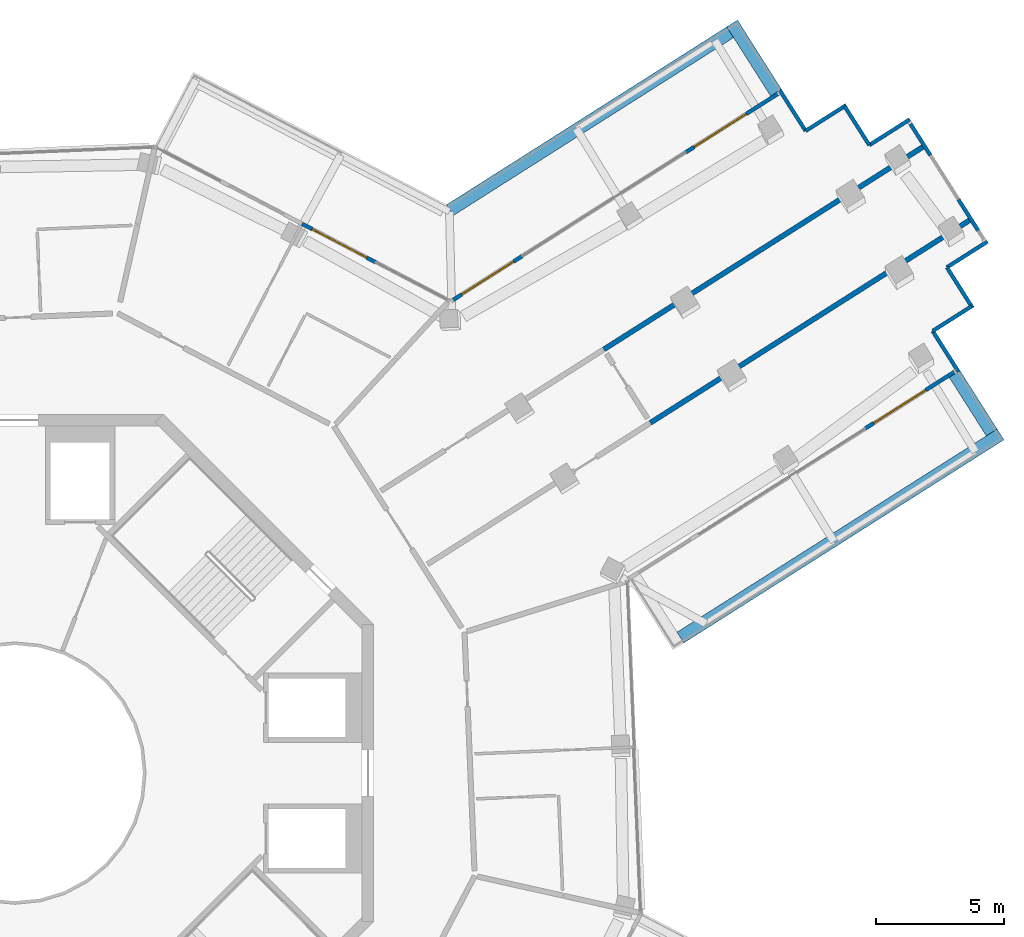
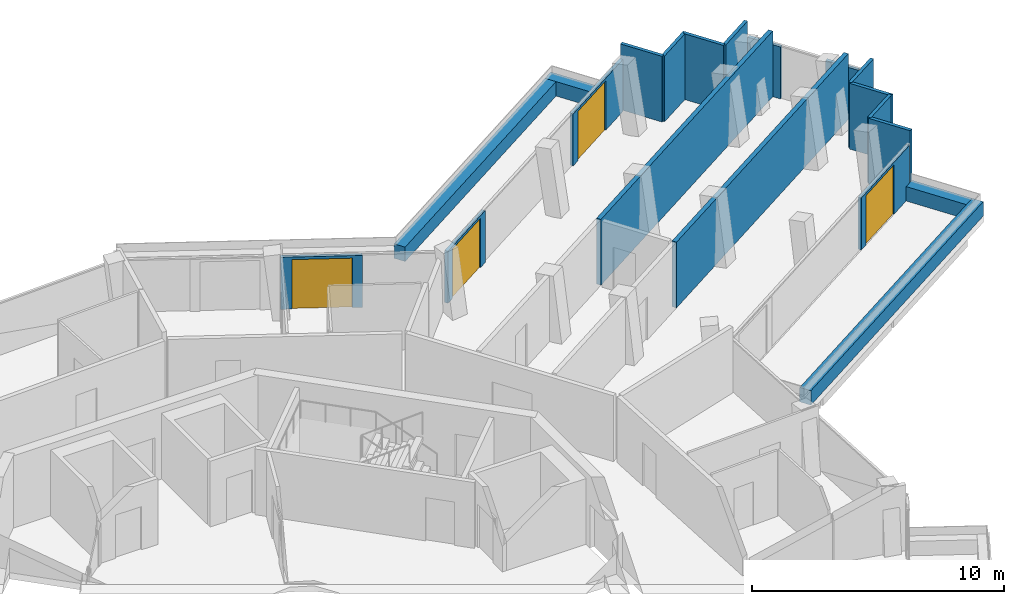
# One storey, part 20 of 23: 20 walls, 4 doors, 4 openings.
"""IFC4 building model written with IfcOpenShell, lengths in metres."""

from ifc_helpers import new_model, si_unit, direction, frame, frame_2d, origin, place, context, subcontext, project, spatial, rectangle, extrude, material, layer, layer_set, type_object, element, fill, save


model = new_model("IFC4")

# Units and contexts
model_context = context("Model", 3, precision=1e-05, world=origin(), true_north=direction((0.0, 1.0)))
body_context = subcontext(model_context, "Body", "Model", "MODEL_VIEW")
ifc_project = project(units=[si_unit("LENGTHUNIT", "METRE"), si_unit("AREAUNIT", "SQUARE_METRE"), si_unit("VOLUMEUNIT", "CUBIC_METRE"), si_unit("PLANEANGLEUNIT", "RADIAN"), si_unit("MASSUNIT", "GRAM", prefix="KILO")], contexts=[model_context])

# Site, building, storey
site_placement = place(None, origin())
site = spatial("IfcSite", under=ifc_project, at=site_placement, CompositionType="ELEMENT")
building_placement = place(site_placement, origin())
building = spatial("IfcBuilding", under=site, at=building_placement, Name="Verdalira Terraces Hotel", CompositionType="ELEMENT")
storey_placement = place(building_placement, frame((0.0, 0.0, 288.0)))
storey = spatial("IfcBuildingStorey", under=building, at=storey_placement, Name="L71", CompositionType="ELEMENT", Elevation=288.0)

# Walls
ifc_material_1 = material(Name="Concrete C40", Category="concrete")
ifc_layer_1 = layer(ifc_material_1, 0.5)
ifc_layer_set_1 = layer_set([ifc_layer_1], Name="Balcony planter trough with tree")
wall_type_1 = type_object("IfcWallType", Name="Balcony planter trough with tree", PredefinedType="SOLIDWALL", material=ifc_layer_set_1)
wall_1_placement = place(storey_placement, frame((25.967773, 5.287354, 0.0), z_axis=(0.0, 0.0, 1.0), x_axis=(0.844329564, 0.535824213, 0.0)))
element("IfcWall", 1, at=wall_1_placement, inside=storey, type_object=wall_type_1, Name="Balcony planter", PredefinedType="SOLIDWALL", context=body_context, shape_type="SweptSolid", body=[
    extrude(rectangle(XDim=14.792236, YDim=0.5, at=frame_2d((7.395996, 0.0))), origin(), (0.0, 0.0, 1.0), 0.699951),
])
wall_2_placement = place(storey_placement, frame((38.112305, 13.290527, 0.0), z_axis=(0.0, 0.0, 1.0), x_axis=(-0.535856682, 0.844308958, 0.0)))
element("IfcWall", 2, at=wall_2_placement, inside=storey, type_object=wall_type_1, Name="Balcony planter", PredefinedType="SOLIDWALL", context=body_context, shape_type="SweptSolid", body=[
    extrude(rectangle(XDim=2.698975, YDim=0.5, at=frame_2d((1.349609, 0.0))), origin(), (0.0, 0.0, 1.0), 0.699951),
])
wall_3_placement = place(storey_placement, frame((29.699219, 26.547363, 0.0), z_axis=(0.0, 0.0, 1.0), x_axis=(-0.535838042, 0.844320788, 0.0)))
element("IfcWall", 3, at=wall_3_placement, inside=storey, type_object=wall_type_1, Name="Balcony planter", PredefinedType="SOLIDWALL", context=body_context, shape_type="SweptSolid", body=[
    extrude(rectangle(XDim=3.198975, YDim=0.5, at=frame_2d((1.599609, 0.0))), origin(), (0.0, 0.0, 1.0), 0.699951),
])
wall_4_placement = place(storey_placement, frame((27.907959, 28.90332, 0.0), z_axis=(0.0, 0.0, 1.0), x_axis=(-0.844324826, -0.535831679, 0.0)))
element("IfcWall", 4, at=wall_4_placement, inside=storey, type_object=wall_type_1, Name="Balcony planter", PredefinedType="SOLIDWALL", context=body_context, shape_type="SweptSolid", body=[
    extrude(rectangle(XDim=12.944824, YDim=0.5, at=frame_2d((6.472412, 0.0))), origin(), (0.0, 0.0, 1.0), 0.699951),
])
ifc_material_2 = material(Name="Fire-rated gypsum board wall")
ifc_layer_2 = layer(ifc_material_2, 0.199951171875)
ifc_layer_set_2 = layer_set([ifc_layer_2], Name="Demising wall 200 mm")
wall_type_2 = type_object("IfcWallType", Name="Demising wall 200 mm", PredefinedType="SOLIDWALL", material=ifc_layer_set_2)
wall_5_placement = place(storey_placement, frame((35.425537, 24.429443, 0.0), z_axis=(0.0, 0.0, 1.0), x_axis=(-0.844326971, -0.535828299, 0.0)))
element("IfcWall", 5, at=wall_5_placement, inside=storey, type_object=wall_type_2, Name="Demising wall", PredefinedType="SOLIDWALL", context=body_context, shape_type="SweptSolid", body=[
    extrude(rectangle(XDim=14.744141, YDim=0.199951, at=frame_2d((7.37207, 0.0))), origin(), (0.0, 0.0, 1.0), 3.189941),
])
wall_6_placement = place(storey_placement, frame((24.793701, 13.665527, 0.0), z_axis=(0.0, 0.0, 1.0), x_axis=(0.844331725, 0.535820808, 0.0)))
element("IfcWall", 6, at=wall_6_placement, inside=storey, type_object=wall_type_2, Name="Demising wall", PredefinedType="SOLIDWALL", context=body_context, shape_type="SweptSolid", body=[
    extrude(rectangle(XDim=14.744385, YDim=0.199951, at=frame_2d((7.37207, 0.0))), origin(), (0.0, 0.0, 1.0), 3.189941),
])
ifc_material_3 = material(Name="Terracotta cladding", Category="masonry")
ifc_layer_3 = layer(ifc_material_3, 0.14990234375)
ifc_layer_set_3 = layer_set([ifc_layer_3], Name="Terracotta clad wall 150")
wall_type_3 = type_object("IfcWallType", Name="Terracotta clad wall 150", PredefinedType="SOLIDWALL", material=ifc_layer_set_3)
wall_7_placement = place(storey_placement, frame((36.813232, 15.664062, 0.0), z_axis=(0.0, 0.0, 1.0), x_axis=(-0.535838721, 0.844320357, 0.0)))
element("IfcWall", 7, at=wall_7_placement, inside=storey, type_object=wall_type_3, Name="Terracotta cladding wall", PredefinedType="SOLIDWALL", context=body_context, shape_type="SweptSolid", body=[
    extrude(rectangle(XDim=1.875, YDim=0.149902, at=frame_2d((0.9375, 0.0))), origin(), (0.0, 0.0, 1.0), 3.189941),
])
wall_8_placement = place(storey_placement, frame((35.808594, 17.24707, 0.0), z_axis=(0.0, 0.0, 1.0), x_axis=(0.844297558, 0.535874643, 0.0)))
element("IfcWall", 8, at=wall_8_placement, inside=storey, type_object=wall_type_3, Name="Terracotta cladding wall", PredefinedType="SOLIDWALL", context=body_context, shape_type="SweptSolid", body=[
    extrude(rectangle(XDim=1.800049, YDim=0.149902, at=frame_2d((0.899902, 0.0))), origin(), (0.0, 0.0, 1.0), 3.189941),
])
for number, where, z_axis, x_axis, name in (
    (9, (37.368652, 18.148193, 0.0), (0.0, 0.0, 1.0), (-0.535779814, 0.844357739, 0.0), "Terracotta cladding wall"),
    (10, (36.364014, 19.731445, 0.0), (0.0, 0.0, 1.0), (0.844320357, 0.535838721, 0.0), "Terracotta cladding wall"),
    (11, (34.919678, 25.506592, 0.0), (0.0, 0.0, 1.0), (-0.844357739, -0.535779814, 0.0), "Terracotta cladding wall"),
):
    element("IfcWall", number, at=place(storey_placement, frame(where, z_axis=z_axis, x_axis=x_axis)), inside=storey, type_object=wall_type_3, Name=name, PredefinedType="SOLIDWALL", context=body_context, shape_type="SweptSolid", body=[
        extrude(rectangle(XDim=1.875, YDim=0.149902, at=frame_2d((0.9375, 0.0))), origin(), (0.0, 0.0, 1.0), 3.189941),
    ])
wall_9_placement = place(storey_placement, frame((33.336426, 24.501953, 0.0), z_axis=(0.0, 0.0, 1.0), x_axis=(-0.53577795, 0.844358921, 0.0)))
element("IfcWall", 12, at=wall_9_placement, inside=storey, type_object=wall_type_3, Name="Terracotta cladding wall", PredefinedType="SOLIDWALL", context=body_context, shape_type="SweptSolid", body=[
    extrude(rectangle(XDim=1.799805, YDim=0.149902, at=frame_2d((0.899902, 0.0))), origin(), (0.0, 0.0, 1.0), 3.189941),
])
for number, where, z_axis, x_axis, name in (
    (13, (32.435303, 26.061768, 0.0), (0.0, 0.0, 1.0), (-0.844320357, -0.535838721, 0.0), "Terracotta cladding wall"),
    (14, (30.852295, 25.057129, 0.0), (0.0, 0.0, 1.0), (-0.535779814, 0.844357739, 0.0), "Terracotta cladding wall"),
):
    element("IfcWall", number, at=place(storey_placement, frame(where, z_axis=z_axis, x_axis=x_axis)), inside=storey, type_object=wall_type_3, Name=name, PredefinedType="SOLIDWALL", context=body_context, shape_type="SweptSolid", body=[
        extrude(rectangle(XDim=1.875, YDim=0.149902, at=frame_2d((0.9375, 0.0))), origin(), (0.0, 0.0, 1.0), 3.189941),
    ])
ifc_material_4 = material(Name="Terracotta cladding", Category="masonry")
ifc_layer_4 = layer(ifc_material_4, 0.14990234375)
ifc_layer_set_4 = layer_set([ifc_layer_4], Name="Terracotta column pier 150")
wall_type_4 = type_object("IfcWallType", Name="Terracotta column pier 150", PredefinedType="SOLIDWALL", material=ifc_layer_set_4)
wall_10_placement = place(storey_placement, frame((37.586426, 21.164551, 0.0), z_axis=(0.0, 0.0, 1.0), x_axis=(-0.535914628, 0.844272179, 0.0)))
element("IfcWall", 15, at=wall_10_placement, inside=storey, type_object=wall_type_4, Name="Terracotta column pier", PredefinedType="SOLIDWALL", context=body_context, shape_type="SweptSolid", body=[
    extrude(rectangle(XDim=1.447266, YDim=0.149902, at=frame_2d((0.723633, 0.0))), origin(), (0.0, 0.0, 1.0), 2.524902),
])
wall_11_placement = place(storey_placement, frame((35.72168, 24.102783, 0.0), z_axis=(0.0, 0.0, 1.0), x_axis=(-0.535803806, 0.844342514, 0.0)))
element("IfcWall", 16, at=wall_11_placement, inside=storey, type_object=wall_type_4, Name="Terracotta column pier", PredefinedType="SOLIDWALL", context=body_context, shape_type="SweptSolid", body=[
    extrude(rectangle(XDim=1.459961, YDim=0.149902, at=frame_2d((0.72998, 0.0))), origin(), (0.0, 0.0, 1.0), 2.524902),
])

# Wall, opening, door
ifc_material_5 = material(Name="Terracotta cladding", Category="masonry")
ifc_layer_5 = layer(ifc_material_5, 0.14990234375)
ifc_layer_set_5 = layer_set([ifc_layer_5], Name="Terracotta door pier 150")
wall_type_5 = type_object("IfcWallType", Name="Terracotta door pier 150", PredefinedType="SOLIDWALL", material=ifc_layer_set_5)
wall_12_placement = place(storey_placement, frame((33.172119, 13.442139, 0.0), z_axis=(0.0, 0.0, 1.0), x_axis=(0.84432942, 0.53582444, 0.0)))
wall_12 = element("IfcWall", 17, at=wall_12_placement, inside=storey, type_object=wall_type_5, Name="Terracotta door pier", PredefinedType="SOLIDWALL", context=body_context, shape_type="SweptSolid", body=[
    extrude(rectangle(XDim=4.119873, YDim=0.149902, at=frame_2d((2.060059, 0.0))), origin(), (0.0, 0.0, 1.0), 2.524902),
])
opening_1_placement = place(wall_12_placement, frame((0.399902, 0.0, 0.0)))
opening_1 = element("IfcOpeningElement", 18, at=opening_1_placement, cuts=wall_12, Name="Opening L71-B13", PredefinedType="OPENING", context=body_context, shape_type="SweptSolid", body=[
    extrude(rectangle(XDim=2.399902, YDim=2.399902, at=frame_2d((1.199951, 1.199951))), frame((0.0, 0.084961, 0.0), z_axis=(0.0, -1.0, 0.0), x_axis=(1.0, 0.0, 0.0)), (0.0, 0.0, 1.0), 0.169922),
])
ifc_material_6 = material(Name="Clear glass", Category="glass")
door_type = type_object("IfcDoorType", Name="Balcony sliding door 2400x2400", OperationType="NOTDEFINED", PredefinedType="DOOR", material=ifc_material_6)
door_1_placement = place(opening_1_placement, origin())
door_1 = element("IfcDoor", 19, at=door_1_placement, inside=storey, type_object=door_type, Name="Balcony sliding door", OperationType="SLIDING_TO_RIGHT", OverallHeight=2.39990234375, OverallWidth=2.39990234375, PredefinedType="DOOR", context=body_context, shape_type="SweptSolid", body=[
    extrude(rectangle(XDim=2.399902, YDim=2.399902, at=frame_2d((1.199951, 1.199951))), frame((0.0, 0.024902, 0.0), z_axis=(0.0, -1.0, 0.0), x_axis=(1.0, 0.0, 0.0)), (0.0, 0.0, 1.0), 0.050049),
])
fill(opening_1, door_1)

wall_13_placement = place(storey_placement, frame((29.765381, 26.499268, 0.0), z_axis=(0.0, 0.0, 1.0), x_axis=(-0.844323936, -0.535833082, 0.0)))
wall_13 = element("IfcWall", 20, at=wall_13_placement, inside=storey, type_object=wall_type_5, Name="Terracotta door pier", PredefinedType="SOLIDWALL", context=body_context, shape_type="SweptSolid", body=[
    extrude(rectangle(XDim=4.26001, YDim=0.149902, at=frame_2d((2.129883, 0.0))), origin(), (0.0, 0.0, 1.0), 2.524902),
])
opening_2_placement = place(wall_13_placement, frame((1.459961, 0.0, 0.0)))
opening_2 = element("IfcOpeningElement", 21, at=opening_2_placement, cuts=wall_13, Name="Opening L71-B14", PredefinedType="OPENING", context=body_context, shape_type="SweptSolid", body=[
    extrude(rectangle(XDim=2.399902, YDim=2.399902, at=frame_2d((1.199951, 1.199951))), frame((0.0, 0.084961, 0.0), z_axis=(0.0, -1.0, 0.0), x_axis=(1.0, 0.0, 0.0)), (0.0, 0.0, 1.0), 0.169922),
])
door_2_placement = place(opening_2_placement, origin())
door_2 = element("IfcDoor", 22, at=door_2_placement, inside=storey, type_object=door_type, Name="Balcony sliding door", OperationType="SLIDING_TO_LEFT", OverallHeight=2.39990234375, OverallWidth=2.39990234375, PredefinedType="DOOR", context=body_context, shape_type="SweptSolid", body=[
    extrude(rectangle(XDim=2.399902, YDim=2.399902, at=frame_2d((1.199951, 1.199951))), frame((0.0, 0.024902, 0.0), z_axis=(0.0, -1.0, 0.0), x_axis=(1.0, 0.0, 0.0)), (0.0, 0.0, 1.0), 0.050049),
])
fill(opening_2, door_2)

wall_14_placement = place(storey_placement, frame((19.800293, 20.175293, 0.0), z_axis=(0.0, 0.0, 1.0), x_axis=(-0.844339377, -0.535808751, 0.0)))
wall_14 = element("IfcWall", 23, at=wall_14_placement, inside=storey, type_object=wall_type_5, Name="Terracotta door pier", PredefinedType="SOLIDWALL", context=body_context, shape_type="SweptSolid", body=[
    extrude(rectangle(XDim=3.199951, YDim=0.149902, at=frame_2d((1.600098, 0.0))), origin(), (0.0, 0.0, 1.0), 2.524902),
])
opening_3_placement = place(wall_14_placement, frame((0.399902, 0.0, 0.0)))
opening_3 = element("IfcOpeningElement", 24, at=opening_3_placement, cuts=wall_14, Name="Opening L71-B15", PredefinedType="OPENING", context=body_context, shape_type="SweptSolid", body=[
    extrude(rectangle(XDim=2.399902, YDim=2.399902, at=frame_2d((1.199951, 1.199951))), frame((0.0, 0.084961, 0.0), z_axis=(0.0, -1.0, 0.0), x_axis=(1.0, 0.0, 0.0)), (0.0, 0.0, 1.0), 0.169922),
])
door_3_placement = place(opening_3_placement, origin())
door_3 = element("IfcDoor", 25, at=door_3_placement, inside=storey, type_object=door_type, Name="Balcony sliding door", OperationType="SLIDING_TO_RIGHT", OverallHeight=2.39990234375, OverallWidth=2.39990234375, PredefinedType="DOOR", context=body_context, shape_type="SweptSolid", body=[
    extrude(rectangle(XDim=2.399902, YDim=2.399902, at=frame_2d((1.199951, 1.199951))), frame((0.0, 0.024902, 0.0), z_axis=(0.0, -1.0, 0.0), x_axis=(1.0, 0.0, 0.0)), (0.0, 0.0, 1.0), 0.050049),
])
fill(opening_3, door_3)

wall_15_placement = place(storey_placement, frame((14.084229, 19.925537, 0.0), z_axis=(0.0, 0.0, 1.0), x_axis=(-0.886182685, 0.463336001, 0.0)))
wall_15 = element("IfcWall", 26, at=wall_15_placement, inside=storey, type_object=wall_type_5, Name="Terracotta door pier", PredefinedType="SOLIDWALL", context=body_context, shape_type="SweptSolid", body=[
    extrude(rectangle(XDim=3.25, YDim=0.149902, at=frame_2d((1.625, 0.0))), origin(), (0.0, 0.0, 1.0), 2.524902),
])
opening_4_placement = place(wall_15_placement, frame((0.399902, 0.0, 0.0)))
opening_4 = element("IfcOpeningElement", 27, at=opening_4_placement, cuts=wall_15, Name="Opening L71-B16", PredefinedType="OPENING", context=body_context, shape_type="SweptSolid", body=[
    extrude(rectangle(XDim=2.399902, YDim=2.399902, at=frame_2d((1.199951, 1.199951))), frame((0.0, 0.084961, 0.0), z_axis=(0.0, -1.0, 0.0), x_axis=(1.0, 0.0, 0.0)), (0.0, 0.0, 1.0), 0.169922),
])
door_4_placement = place(opening_4_placement, origin())
door_4 = element("IfcDoor", 28, at=door_4_placement, inside=storey, type_object=door_type, Name="Balcony sliding door", OperationType="SLIDING_TO_RIGHT", OverallHeight=2.39990234375, OverallWidth=2.39990234375, PredefinedType="DOOR", context=body_context, shape_type="SweptSolid", body=[
    extrude(rectangle(XDim=2.399902, YDim=2.399902, at=frame_2d((1.199951, 1.199951))), frame((0.0, 0.024902, 0.0), z_axis=(0.0, -1.0, 0.0), x_axis=(1.0, 0.0, 0.0)), (0.0, 0.0, 1.0), 0.050049),
])
fill(opening_4, door_4)

save(model, "model.ifc")
